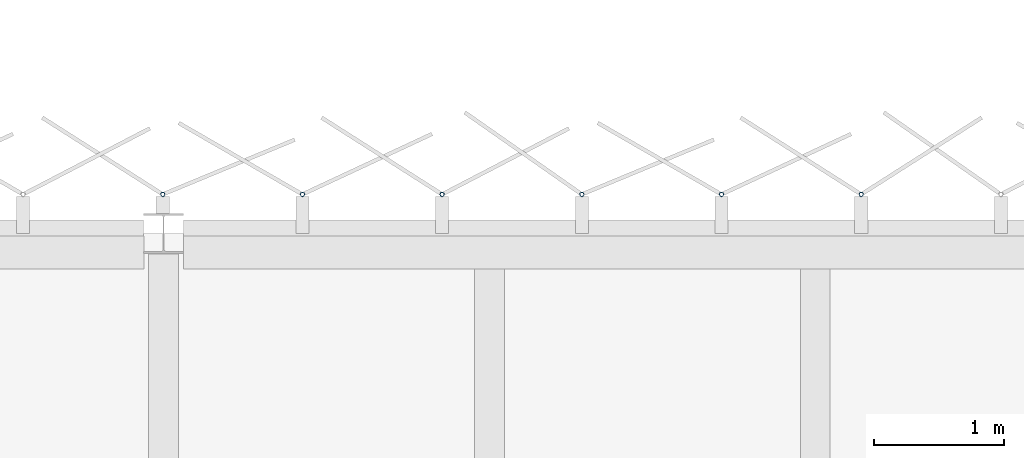
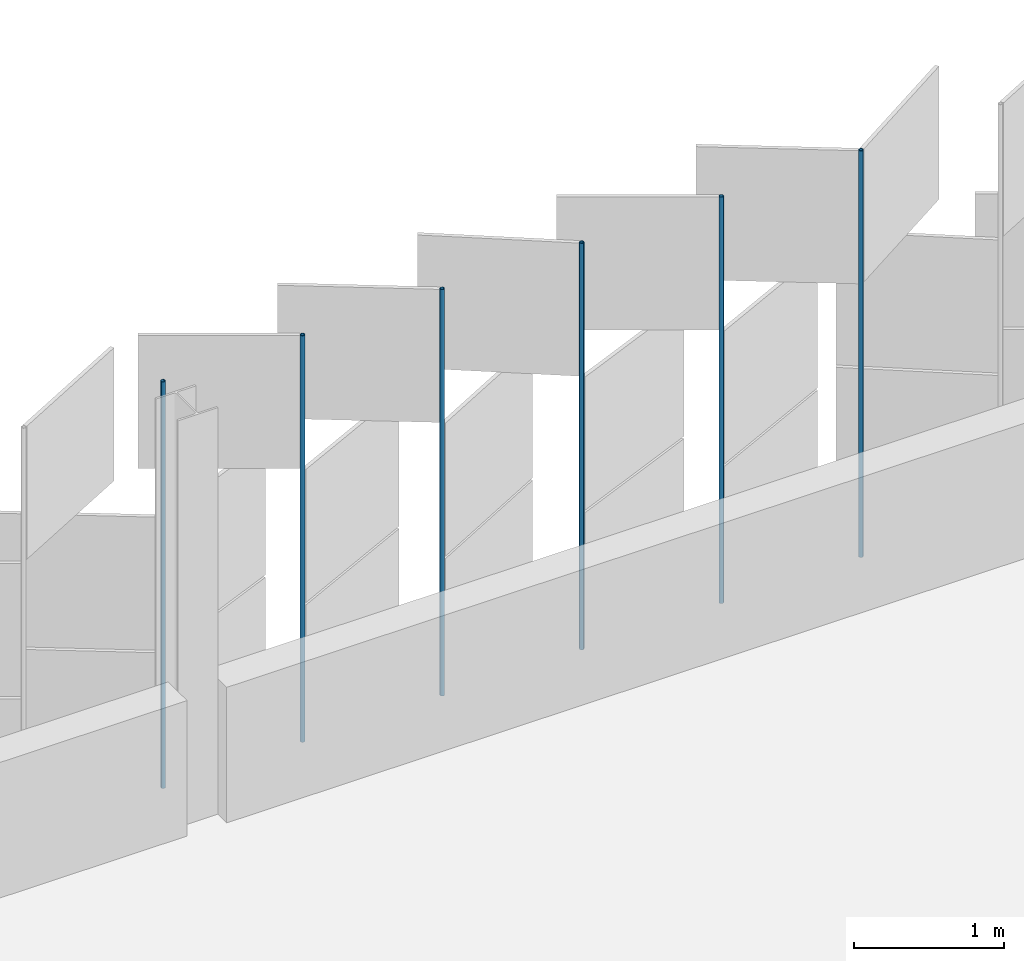
# One storey, part 146 of 198: 6 discrete accessories.
"""IFC4 building model written with IfcOpenShell, lengths in metres."""

from ifc_helpers import new_model, si_unit, direction, frame, origin, origin_2d, place, context, subcontext, project, spatial, hollow_circle, extrude, material, material_profile, profile_set, type_object, element, save


model = new_model("IFC4")

# Units and contexts
model_context = context("Model", 3, precision=1e-05, world=origin(), true_north=direction((0.0, 1.0)))
body_context = subcontext(model_context, "Body", "Model", "MODEL_VIEW")
ifc_project = project(units=[si_unit("LENGTHUNIT", "METRE"), si_unit("AREAUNIT", "SQUARE_METRE"), si_unit("VOLUMEUNIT", "CUBIC_METRE"), si_unit("PLANEANGLEUNIT", "RADIAN"), si_unit("MASSUNIT", "GRAM", prefix="KILO")], contexts=[model_context])

# Site, building, storey
site_placement = place(None, origin())
site = spatial("IfcSite", under=ifc_project, at=site_placement, CompositionType="ELEMENT")
building_placement = place(site_placement, origin())
building = spatial("IfcBuilding", under=site, at=building_placement, Name="Parallax Yard Mobility Hub", CompositionType="ELEMENT")
storey_placement = place(building_placement, frame((0.0, 0.0, 6.60009765625)))
storey = spatial("IfcBuildingStorey", under=building, at=storey_placement, Name="L02", CompositionType="ELEMENT", Elevation=6.60009765625)

# Discrete accessories
ifc_material = material(Name="Steel ASTM A500 Gr C, hot-dip galvanised", Category="steel")
ifc_material_profile = material_profile(ifc_material, hollow_circle(Radius=0.016845703125, WallThickness=0.003173828125, at=origin_2d()), Name="CHS 33.7x3.2")
ifc_profile_set = profile_set([ifc_material_profile], Name="Steel ASTM A500 Gr C, hot-dip galvanised")
discrete_accessory_type = type_object("IfcDiscreteAccessoryType", Name="Hinge post CHS 33.7x3.2", PredefinedType="BRACKET", material=ifc_profile_set)
for number, where, z_axis, x_axis, name in (
    (1, (110.351806640625, 142.800048828125, 0.0), (0.0, 0.0, 1.0), (1.0, 0.0, 0.0), "Hinge post bay 59.3 level L02"),
    (2, (109.280029296875, 142.800048828125, 0.0), (0.0, 0.0, 1.0), (1.0, 0.0, 0.0), "Hinge post bay 59.4 level L02"),
    (3, (108.20849609375, 142.800048828125, 0.0), (0.0, 0.0, 1.0), (1.0, 0.0, 0.0), "Hinge post bay 59.5 level L02"),
    (4, (107.136962890625, 142.800048828125, 0.0), (0.0, 0.0, 1.0), (1.0, 0.0, 0.0), "Hinge post bay 59.6 level L02"),
    (5, (106.0654296875, 142.800048828125, 0.0), (0.0, 0.0, 1.0), (1.0, 0.0, 0.0), "Hinge post bay 59.7 level L02"),
    (6, (104.993896484375, 142.800048828125, 0.0), (0.0, 0.0, 1.0), (1.0, 0.0, 0.0), "Hinge post bay 60.1 level L02"),
):
    element("IfcDiscreteAccessory", number, at=place(storey_placement, frame(where, z_axis=z_axis, x_axis=x_axis)), inside=storey, type_object=discrete_accessory_type, Name=name, PredefinedType="BRACKET", context=body_context, shape_type="SweptSolid", body=[
        extrude(hollow_circle(Radius=0.016845703125, WallThickness=0.003173828125, at=origin_2d()), origin(), (0.0, 0.0, 1.0), 3.2998046875),
    ])

save(model, "model.ifc")
